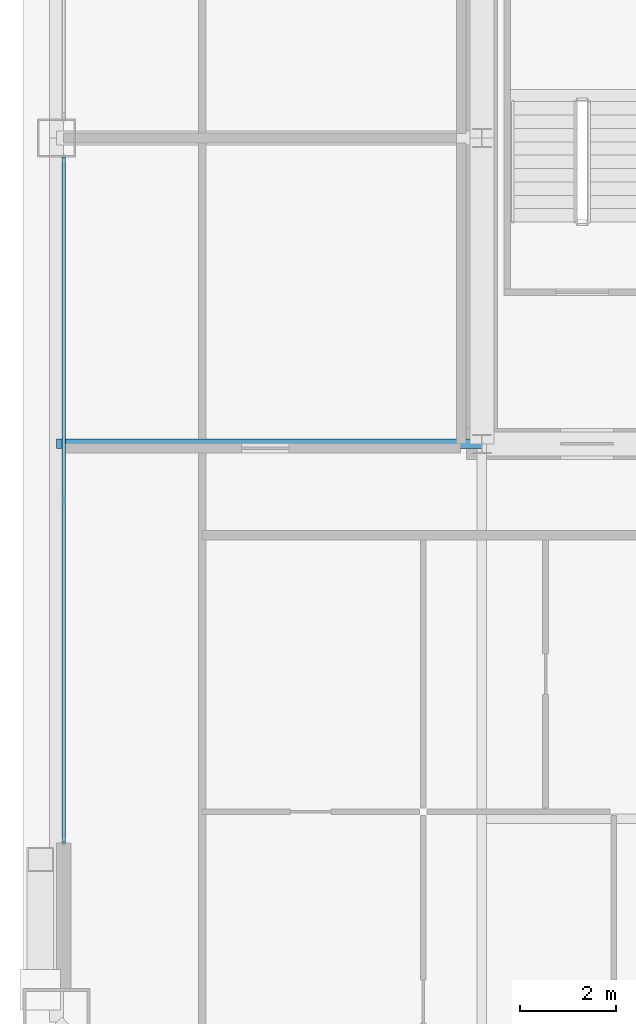
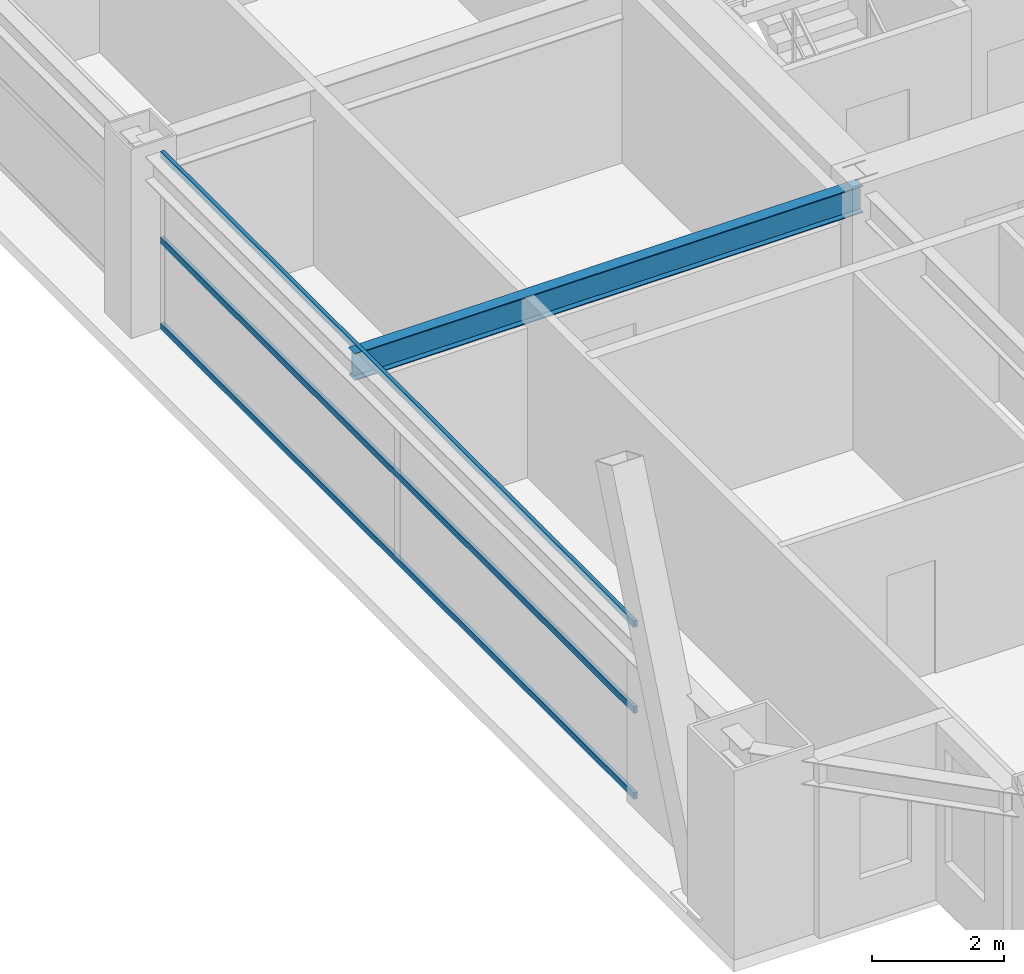
# One storey, part 15 of 45: 3 members, 1 beam, 1 element without a shape of its own.
"""IFC4 building model written with IfcOpenShell, lengths in metres."""

from ifc_helpers import new_model, si_unit, direction, frame, origin, origin_2d, place, context, subcontext, project, spatial, hollow_rectangle, i_section, extrude, source, transform, mapped, material, layer, layer_set, material_profile, profile_set, type_object, element, aggregate, save


model = new_model("IFC4")

# Units and contexts
model_context = context("Model", 3, precision=1e-05, world=origin(), true_north=direction((0.0, 1.0)))
body_context = subcontext(model_context, "Body", "Model", "MODEL_VIEW")
ifc_project = project(units=[si_unit("LENGTHUNIT", "METRE"), si_unit("AREAUNIT", "SQUARE_METRE"), si_unit("VOLUMEUNIT", "CUBIC_METRE"), si_unit("PLANEANGLEUNIT", "RADIAN"), si_unit("MASSUNIT", "GRAM", prefix="KILO"), si_unit("THERMODYNAMICTEMPERATUREUNIT", "KELVIN"), si_unit("POWERUNIT", "WATT")], contexts=[model_context])

# Site, building, storey
site_placement = place(None, origin())
site = spatial("IfcSite", under=ifc_project, at=site_placement, CompositionType="ELEMENT")
building_placement = place(site_placement, origin())
building = spatial("IfcBuilding", under=site, at=building_placement, Name="Yuzanri Waterfront Tower", CompositionType="ELEMENT")
storey_placement = place(building_placement, frame((0.0, 0.0, 198.5)))
storey = spatial("IfcBuildingStorey", under=building, at=storey_placement, Name="L52", CompositionType="ELEMENT", Elevation=198.5)

# Beam
ifc_material_1 = material(Name="Steel Q355B", Category="steel")
ifc_material_profile_1 = material_profile(ifc_material_1, i_section(OverallWidth=0.199951171875, OverallDepth=0.5, WebThickness=0.010009765625, FlangeThickness=0.01611328125, at=origin_2d()), Name="HN 500x200x10x16")
ifc_profile_set_1 = profile_set([ifc_material_profile_1], Name="Steel Q355B")
beam_type = type_object("IfcBeamType", Name="Secondary Floor Beam Q355B HN 500x200", PredefinedType="BEAM", material=ifc_profile_set_1)
shared_shape_1 = source(origin(), body_context, "Body", "SweptSolid", [
    extrude(i_section(OverallWidth=0.199951171875, OverallDepth=0.5, WebThickness=0.010009765625, FlangeThickness=0.01611328125, at=origin_2d()), origin(), (0.0, 0.0, 1.0), 8.900146484375),
])
beam_placement = place(storey_placement, frame((23.800048828125, 19.39990234375, 3.030029296875), z_axis=(-1.0, 0.0, 0.0), x_axis=(0.0, -1.0, 0.0)))
element("IfcBeam", 1, at=beam_placement, inside=storey, type_object=beam_type, Name="L52 West-South Core Line Beam", PredefinedType="BEAM", context=body_context, shape_type="MappedRepresentation", body=[
    mapped(shared_shape_1, transform((0.0, 0.0, 0.0), scale=1.0)),
])

# Curtain wall, members
ifc_material_2 = material(Name="Anodized Architectural Bronze", Category="metal")
ifc_layer = layer(ifc_material_2, 0.159912109375)
ifc_layer_set = layer_set([ifc_layer], Name="Anodized Architectural Bronze")
curtain_wall_type = type_object("IfcCurtainWallType", Name="Anodized Bronze Mid-Rise Residential Acoustic Unitized Curtain Wall 7200", PredefinedType="NOTDEFINED", material=ifc_layer_set)
curtain_wall_placement = place(storey_placement, origin())
curtain_wall = element("IfcCurtainWall", 2, at=curtain_wall_placement, inside=storey, type_object=curtain_wall_type, Name="L52 Curtain Wall CW-L52-WL", PredefinedType="NOTDEFINED")
ifc_material_3 = material(Name="Anodized Architectural Bronze", Category="metal")
ifc_material_profile_2 = material_profile(ifc_material_3, hollow_rectangle(XDim=0.06494140625, YDim=0.1201171875, WallThickness=0.00341796875, at=origin_2d()), Name="CWT 65x120")
ifc_profile_set_2 = profile_set([ifc_material_profile_2], Name="Anodized Architectural Bronze")
member_type = type_object("IfcMemberType", Name="Anodized Bronze Secondary Curtain-Wall Transom 65x120", PredefinedType="USERDEFINED", material=ifc_profile_set_2)
shared_shape_2 = source(origin(), body_context, "Body", "SweptSolid", [
    extrude(hollow_rectangle(XDim=0.06494140625, YDim=0.1201171875, WallThickness=0.00341796875, at=origin_2d()), origin(), (0.0, 0.0, 1.0), 14.349853515625),
])
member_1_placement = place(storey_placement, frame((15.050048828125, 11.050048828125, 0.050048828125), z_axis=(0.0, 1.0, 0.0), x_axis=(-1.0, 0.0, 0.0)))
member_1 = element("IfcMember", 3, at=member_1_placement, type_object=member_type, Name="CW-L52-WL Transom 1", ObjectType="TRANSOM", PredefinedType="USERDEFINED", context=body_context, shape_type="MappedRepresentation", body=[
    mapped(shared_shape_2, transform((0.0, 0.0, 0.0), scale=1.0)),
])
member_2_placement = place(storey_placement, frame((15.050048828125, 11.050048828125, 1.639892578125), z_axis=(0.0, 1.0, 0.0), x_axis=(-1.0, 0.0, 0.0)))
member_2 = element("IfcMember", 4, at=member_2_placement, type_object=member_type, Name="CW-L52-WL Transom 2", ObjectType="TRANSOM", PredefinedType="USERDEFINED", context=body_context, shape_type="MappedRepresentation", body=[
    mapped(shared_shape_2, transform((0.0, 0.0, 0.0), scale=1.0)),
])
member_3_placement = place(storey_placement, frame((15.050048828125, 11.050048828125, 3.22998046875), z_axis=(0.0, 1.0, 0.0), x_axis=(-1.0, 0.0, 0.0)))
member_3 = element("IfcMember", 5, at=member_3_placement, type_object=member_type, Name="CW-L52-WL Transom 3", ObjectType="TRANSOM", PredefinedType="USERDEFINED", context=body_context, shape_type="MappedRepresentation", body=[
    mapped(shared_shape_2, transform((0.0, 0.0, 0.0), scale=1.0)),
])
aggregate(curtain_wall, [member_1, member_2, member_3])

save(model, "model.ifc")
